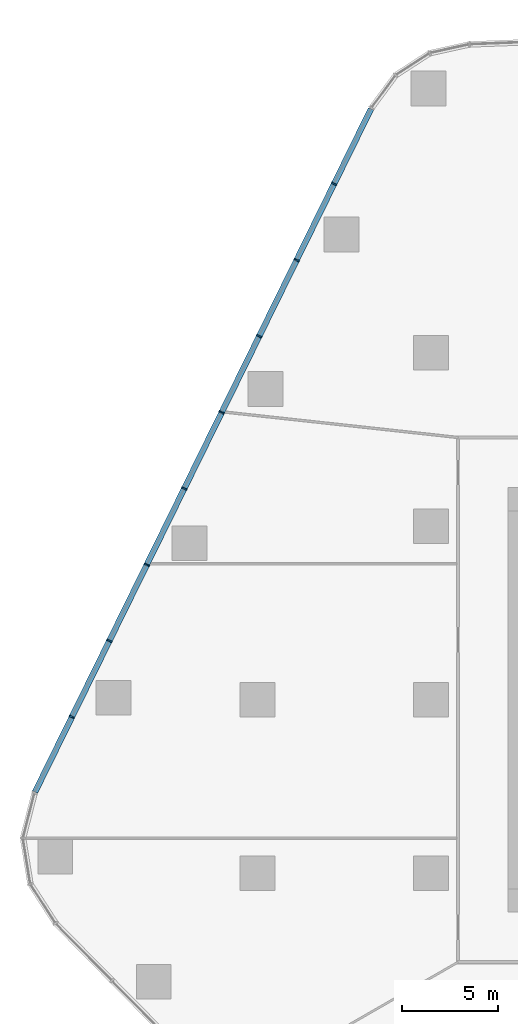
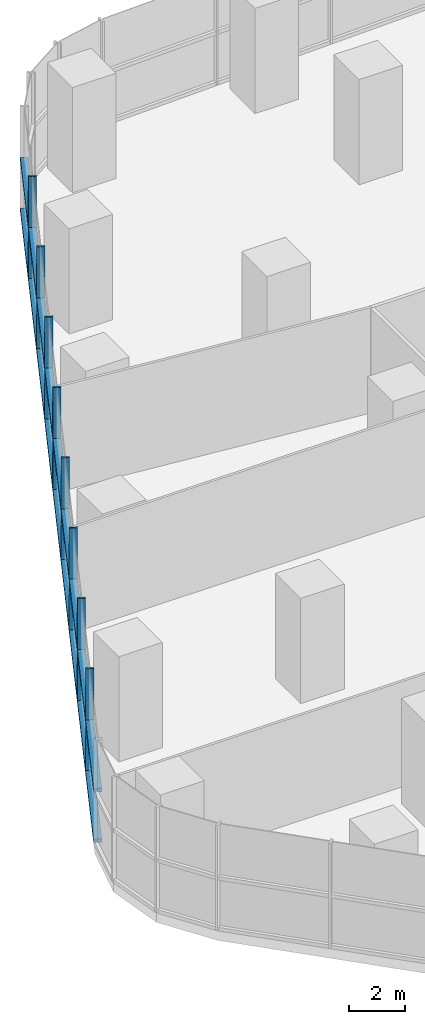
# One storey, part 4 of 15: 26 members, 1 element without a shape of its own.
"""IFC4 building model written with IfcOpenShell, lengths in metres."""

from ifc_helpers import new_model, si_unit, direction, frame, origin, origin_2d, place, context, subcontext, project, spatial, rectangle, extrude, material, layer, layer_set, material_profile, profile_set, type_object, element, aggregate, save


model = new_model("IFC4")

# Units and contexts
model_context = context("Model", 3, precision=1e-05, world=origin(), true_north=direction((0.0, 1.0)))
body_context = subcontext(model_context, "Body", "Model", "MODEL_VIEW")
ifc_project = project(units=[si_unit("LENGTHUNIT", "METRE"), si_unit("AREAUNIT", "SQUARE_METRE"), si_unit("VOLUMEUNIT", "CUBIC_METRE"), si_unit("PLANEANGLEUNIT", "RADIAN"), si_unit("MASSUNIT", "GRAM", prefix="KILO")], contexts=[model_context])

# Site, building, storey
site_placement = place(None, origin())
site = spatial("IfcSite", under=ifc_project, at=site_placement, CompositionType="ELEMENT")
building_placement = place(site_placement, origin())
building = spatial("IfcBuilding", under=site, at=building_placement, Name="Dongbaek Canopy Tower", CompositionType="ELEMENT")
storey_placement = place(building_placement, frame((0.0, 0.0, 33.0)))
storey = spatial("IfcBuildingStorey", under=building, at=storey_placement, Name="L04", CompositionType="ELEMENT", Elevation=33.0)

# Curtain wall, members
ifc_material_1 = material(Name="Aluminium 6063-T6 pale anodised", Category="aluminium")
ifc_layer = layer(ifc_material_1, 0.300048828125)
ifc_layer_set = layer_set([ifc_layer], Name="CW-2 podium hall curtain wall")
curtain_wall_type = type_object("IfcCurtainWallType", Name="CW-2 podium hall curtain wall", PredefinedType="NOTDEFINED", material=ifc_layer_set)
curtain_wall_placement = place(storey_placement, origin())
curtain_wall = element("IfcCurtainWall", 1, at=curtain_wall_placement, inside=storey, type_object=curtain_wall_type, Name="CW-2 curtain wall F2.1", PredefinedType="NOTDEFINED")
ifc_material_2 = material(Name="Aluminium 6063-T6 pale anodised", Category="aluminium")
ifc_material_profile_1 = material_profile(ifc_material_2, rectangle(XDim=0.300048828125, YDim=0.080078125, at=origin_2d()), Name="CW-2 mullion 80 x 300")
ifc_profile_set_1 = profile_set([ifc_material_profile_1], Name="Aluminium 6063-T6 pale anodised")
member_type_1 = type_object("IfcMemberType", Name="CW-2 mullion 80 x 300", PredefinedType="MULLION", material=ifc_profile_set_1)
member_1_placement = place(storey_placement, frame((-23.031005859375, 26.74560546875, 0.0), z_axis=(0.0, 0.0, 1.0), x_axis=(-0.897339166815, 0.441341613378, 0.0)))
member_1 = element("IfcMember", 2, at=member_1_placement, type_object=member_type_1, Name="CW-2 mullion F2.1.2", PredefinedType="MULLION", context=body_context, shape_type="SweptSolid", body=[
    extrude(rectangle(XDim=0.300048828125, YDim=0.080078125, at=origin_2d()), origin(), (0.0, 0.0, 1.0), 4.60009765625),
])
member_2_placement = place(storey_placement, frame((-24.97265625, 22.797607421875, 0.0), z_axis=(0.0, 0.0, 1.0), x_axis=(-0.897339166815, 0.441341613378, 0.0)))
member_2 = element("IfcMember", 3, at=member_2_placement, type_object=member_type_1, Name="CW-2 mullion F2.1.3", PredefinedType="MULLION", context=body_context, shape_type="SweptSolid", body=[
    extrude(rectangle(XDim=0.300048828125, YDim=0.080078125, at=origin_2d()), origin(), (0.0, 0.0, 1.0), 4.60009765625),
])
member_3_placement = place(storey_placement, frame((-26.914306640625, 18.849853515625, 0.0), z_axis=(0.0, 0.0, 1.0), x_axis=(-0.897339166815, 0.441341613378, 0.0)))
member_3 = element("IfcMember", 4, at=member_3_placement, type_object=member_type_1, Name="CW-2 mullion F2.1.4", PredefinedType="MULLION", context=body_context, shape_type="SweptSolid", body=[
    extrude(rectangle(XDim=0.300048828125, YDim=0.080078125, at=origin_2d()), origin(), (0.0, 0.0, 1.0), 4.60009765625),
])
member_4_placement = place(storey_placement, frame((-28.856201171875, 14.902099609375, 0.0), z_axis=(0.0, 0.0, 1.0), x_axis=(-0.897339166815, 0.441341613378, 0.0)))
member_4 = element("IfcMember", 5, at=member_4_placement, type_object=member_type_1, Name="CW-2 mullion F2.1.5", PredefinedType="MULLION", context=body_context, shape_type="SweptSolid", body=[
    extrude(rectangle(XDim=0.300048828125, YDim=0.080078125, at=origin_2d()), origin(), (0.0, 0.0, 1.0), 4.60009765625),
])
member_5_placement = place(storey_placement, frame((-30.7978515625, 10.954345703125, 0.0), z_axis=(0.0, 0.0, 1.0), x_axis=(-0.897339166815, 0.441341613378, 0.0)))
member_5 = element("IfcMember", 6, at=member_5_placement, type_object=member_type_1, Name="CW-2 mullion F2.1.6", PredefinedType="MULLION", context=body_context, shape_type="SweptSolid", body=[
    extrude(rectangle(XDim=0.300048828125, YDim=0.080078125, at=origin_2d()), origin(), (0.0, 0.0, 1.0), 4.60009765625),
])
member_6_placement = place(storey_placement, frame((-32.739501953125, 7.00634765625, 0.0), z_axis=(0.0, 0.0, 1.0), x_axis=(-0.897339166815, 0.441341613378, 0.0)))
member_6 = element("IfcMember", 7, at=member_6_placement, type_object=member_type_1, Name="CW-2 mullion F2.1.7", PredefinedType="MULLION", context=body_context, shape_type="SweptSolid", body=[
    extrude(rectangle(XDim=0.300048828125, YDim=0.080078125, at=origin_2d()), origin(), (0.0, 0.0, 1.0), 4.60009765625),
])
member_7_placement = place(storey_placement, frame((-34.68115234375, 3.05859375, 0.0), z_axis=(0.0, 0.0, 1.0), x_axis=(-0.897339166815, 0.441341613378, 0.0)))
member_7 = element("IfcMember", 8, at=member_7_placement, type_object=member_type_1, Name="CW-2 mullion F2.1.8", PredefinedType="MULLION", context=body_context, shape_type="SweptSolid", body=[
    extrude(rectangle(XDim=0.300048828125, YDim=0.080078125, at=origin_2d()), origin(), (0.0, 0.0, 1.0), 4.60009765625),
])
member_8_placement = place(storey_placement, frame((-36.622802734375, -0.88916015625, 0.0), z_axis=(0.0, 0.0, 1.0), x_axis=(-0.897339166815, 0.441341613378, 0.0)))
member_8 = element("IfcMember", 9, at=member_8_placement, type_object=member_type_1, Name="CW-2 mullion F2.1.9", PredefinedType="MULLION", context=body_context, shape_type="SweptSolid", body=[
    extrude(rectangle(XDim=0.300048828125, YDim=0.080078125, at=origin_2d()), origin(), (0.0, 0.0, 1.0), 4.60009765625),
])
ifc_material_3 = material(Name="Aluminium 6063-T6 pale anodised", Category="aluminium")
ifc_material_profile_2 = material_profile(ifc_material_3, rectangle(XDim=0.300048828125, YDim=0.159912109375, at=origin_2d()), Name="CW-2 transom 160 x 300")
ifc_profile_set_2 = profile_set([ifc_material_profile_2], Name="Aluminium 6063-T6 pale anodised")
member_type_2 = type_object("IfcMemberType", Name="CW-2 transom 160 x 300", PredefinedType="USERDEFINED", material=ifc_profile_set_2)
member_9_placement = place(storey_placement, frame((-21.116455078125, 30.638671875, 0.080078125), z_axis=(-0.441303114312, -0.897358100927, 0.0), x_axis=(0.897358100927, -0.441303114312, 0.0)))
member_9 = element("IfcMember", 10, at=member_9_placement, type_object=member_type_2, Name="CW-2 transom F2.1.1.1", ObjectType="TRANSOM", PredefinedType="USERDEFINED", context=body_context, shape_type="SweptSolid", body=[
    extrude(rectangle(XDim=0.300048828125, YDim=0.159912109375, at=origin_2d()), origin(), (0.0, 0.0, 1.0), 4.286376953125),
])
member_10_placement = place(storey_placement, frame((-21.116455078125, 30.638671875, 2.300048828125), z_axis=(-0.441303114312, -0.897358100927, 0.0), x_axis=(0.897358100927, -0.441303114312, 0.0)))
member_10 = element("IfcMember", 11, at=member_10_placement, type_object=member_type_2, Name="CW-2 transom F2.1.1.2", ObjectType="TRANSOM", PredefinedType="USERDEFINED", context=body_context, shape_type="SweptSolid", body=[
    extrude(rectangle(XDim=0.300048828125, YDim=0.159912109375, at=origin_2d()), origin(), (0.0, 0.0, 1.0), 4.286376953125),
])
member_11_placement = place(storey_placement, frame((-23.053955078125, 26.69873046875, 0.080078125), z_axis=(-0.441338412406, -0.897340741154, 0.0), x_axis=(0.897340741154, -0.441338412406, 0.0)))
member_11 = element("IfcMember", 12, at=member_11_placement, type_object=member_type_2, Name="CW-2 transom F2.1.2.1", ObjectType="TRANSOM", PredefinedType="USERDEFINED", context=body_context, shape_type="SweptSolid", body=[
    extrude(rectangle(XDim=0.300048828125, YDim=0.159912109375, at=origin_2d()), origin(), (0.0, 0.0, 1.0), 4.29541015625),
])
member_12_placement = place(storey_placement, frame((-23.053955078125, 26.69873046875, 2.300048828125), z_axis=(-0.441338412406, -0.897340741154, 0.0), x_axis=(0.897340741154, -0.441338412406, 0.0)))
member_12 = element("IfcMember", 13, at=member_12_placement, type_object=member_type_2, Name="CW-2 transom F2.1.2.2", ObjectType="TRANSOM", PredefinedType="USERDEFINED", context=body_context, shape_type="SweptSolid", body=[
    extrude(rectangle(XDim=0.300048828125, YDim=0.159912109375, at=origin_2d()), origin(), (0.0, 0.0, 1.0), 4.29541015625),
])
member_13_placement = place(storey_placement, frame((-24.99560546875, 22.7509765625, 0.080078125), z_axis=(-0.441338412406, -0.897340741154, 0.0), x_axis=(0.897340741154, -0.441338412406, 0.0)))
member_13 = element("IfcMember", 14, at=member_13_placement, type_object=member_type_2, Name="CW-2 transom F2.1.3.1", ObjectType="TRANSOM", PredefinedType="USERDEFINED", context=body_context, shape_type="SweptSolid", body=[
    extrude(rectangle(XDim=0.300048828125, YDim=0.159912109375, at=origin_2d()), origin(), (0.0, 0.0, 1.0), 4.29541015625),
])
member_14_placement = place(storey_placement, frame((-24.99560546875, 22.7509765625, 2.300048828125), z_axis=(-0.441338412406, -0.897340741154, 0.0), x_axis=(0.897340741154, -0.441338412406, 0.0)))
member_14 = element("IfcMember", 15, at=member_14_placement, type_object=member_type_2, Name="CW-2 transom F2.1.3.2", ObjectType="TRANSOM", PredefinedType="USERDEFINED", context=body_context, shape_type="SweptSolid", body=[
    extrude(rectangle(XDim=0.300048828125, YDim=0.159912109375, at=origin_2d()), origin(), (0.0, 0.0, 1.0), 4.29541015625),
])
member_15_placement = place(storey_placement, frame((-26.937255859375, 18.80322265625, 0.080078125), z_axis=(-0.441384176903, -0.897318231387, 0.0), x_axis=(0.897318231387, -0.441384176903, 0.0)))
member_15 = element("IfcMember", 16, at=member_15_placement, type_object=member_type_2, Name="CW-2 transom F2.1.4.1", ObjectType="TRANSOM", PredefinedType="USERDEFINED", context=body_context, shape_type="SweptSolid", body=[
    extrude(rectangle(XDim=0.300048828125, YDim=0.159912109375, at=origin_2d()), origin(), (0.0, 0.0, 1.0), 4.295654296875),
])
member_16_placement = place(storey_placement, frame((-26.937255859375, 18.80322265625, 2.300048828125), z_axis=(-0.441384176903, -0.897318231387, 0.0), x_axis=(0.897318231387, -0.441384176903, 0.0)))
member_16 = element("IfcMember", 17, at=member_16_placement, type_object=member_type_2, Name="CW-2 transom F2.1.4.2", ObjectType="TRANSOM", PredefinedType="USERDEFINED", context=body_context, shape_type="SweptSolid", body=[
    extrude(rectangle(XDim=0.300048828125, YDim=0.159912109375, at=origin_2d()), origin(), (0.0, 0.0, 1.0), 4.295654296875),
])
member_17_placement = place(storey_placement, frame((-28.879150390625, 14.85546875, 0.080078125), z_axis=(-0.441338412406, -0.897340741154, 0.0), x_axis=(0.897340741154, -0.441338412406, 0.0)))
member_17 = element("IfcMember", 18, at=member_17_placement, type_object=member_type_2, Name="CW-2 transom F2.1.5.1", ObjectType="TRANSOM", PredefinedType="USERDEFINED", context=body_context, shape_type="SweptSolid", body=[
    extrude(rectangle(XDim=0.300048828125, YDim=0.159912109375, at=origin_2d()), origin(), (0.0, 0.0, 1.0), 4.29541015625),
])
member_18_placement = place(storey_placement, frame((-28.879150390625, 14.85546875, 2.300048828125), z_axis=(-0.441338412406, -0.897340741154, 0.0), x_axis=(0.897340741154, -0.441338412406, 0.0)))
member_18 = element("IfcMember", 19, at=member_18_placement, type_object=member_type_2, Name="CW-2 transom F2.1.5.2", ObjectType="TRANSOM", PredefinedType="USERDEFINED", context=body_context, shape_type="SweptSolid", body=[
    extrude(rectangle(XDim=0.300048828125, YDim=0.159912109375, at=origin_2d()), origin(), (0.0, 0.0, 1.0), 4.29541015625),
])
member_19_placement = place(storey_placement, frame((-30.82080078125, 10.90771484375, 0.080078125), z_axis=(-0.441338412406, -0.897340741154, 0.0), x_axis=(0.897340741154, -0.441338412406, 0.0)))
member_19 = element("IfcMember", 20, at=member_19_placement, type_object=member_type_2, Name="CW-2 transom F2.1.6.1", ObjectType="TRANSOM", PredefinedType="USERDEFINED", context=body_context, shape_type="SweptSolid", body=[
    extrude(rectangle(XDim=0.300048828125, YDim=0.159912109375, at=origin_2d()), origin(), (0.0, 0.0, 1.0), 4.29541015625),
])
member_20_placement = place(storey_placement, frame((-30.82080078125, 10.90771484375, 2.300048828125), z_axis=(-0.441338412406, -0.897340741154, 0.0), x_axis=(0.897340741154, -0.441338412406, 0.0)))
member_20 = element("IfcMember", 21, at=member_20_placement, type_object=member_type_2, Name="CW-2 transom F2.1.6.2", ObjectType="TRANSOM", PredefinedType="USERDEFINED", context=body_context, shape_type="SweptSolid", body=[
    extrude(rectangle(XDim=0.300048828125, YDim=0.159912109375, at=origin_2d()), origin(), (0.0, 0.0, 1.0), 4.29541015625),
])
member_21_placement = place(storey_placement, frame((-32.762451171875, 6.959716796875, 0.080078125), z_axis=(-0.441338412406, -0.897340741154, 0.0), x_axis=(0.897340741154, -0.441338412406, 0.0)))
member_21 = element("IfcMember", 22, at=member_21_placement, type_object=member_type_2, Name="CW-2 transom F2.1.7.1", ObjectType="TRANSOM", PredefinedType="USERDEFINED", context=body_context, shape_type="SweptSolid", body=[
    extrude(rectangle(XDim=0.300048828125, YDim=0.159912109375, at=origin_2d()), origin(), (0.0, 0.0, 1.0), 4.29541015625),
])
member_22_placement = place(storey_placement, frame((-32.762451171875, 6.959716796875, 2.300048828125), z_axis=(-0.441338412406, -0.897340741154, 0.0), x_axis=(0.897340741154, -0.441338412406, 0.0)))
member_22 = element("IfcMember", 23, at=member_22_placement, type_object=member_type_2, Name="CW-2 transom F2.1.7.2", ObjectType="TRANSOM", PredefinedType="USERDEFINED", context=body_context, shape_type="SweptSolid", body=[
    extrude(rectangle(XDim=0.300048828125, YDim=0.159912109375, at=origin_2d()), origin(), (0.0, 0.0, 1.0), 4.29541015625),
])
member_23_placement = place(storey_placement, frame((-34.7041015625, 3.011962890625, 0.080078125), z_axis=(-0.441338412406, -0.897340741154, 0.0), x_axis=(0.897340741154, -0.441338412406, 0.0)))
member_23 = element("IfcMember", 24, at=member_23_placement, type_object=member_type_2, Name="CW-2 transom F2.1.8.1", ObjectType="TRANSOM", PredefinedType="USERDEFINED", context=body_context, shape_type="SweptSolid", body=[
    extrude(rectangle(XDim=0.300048828125, YDim=0.159912109375, at=origin_2d()), origin(), (0.0, 0.0, 1.0), 4.29541015625),
])
member_24_placement = place(storey_placement, frame((-34.7041015625, 3.011962890625, 2.300048828125), z_axis=(-0.441338412406, -0.897340741154, 0.0), x_axis=(0.897340741154, -0.441338412406, 0.0)))
member_24 = element("IfcMember", 25, at=member_24_placement, type_object=member_type_2, Name="CW-2 transom F2.1.8.2", ObjectType="TRANSOM", PredefinedType="USERDEFINED", context=body_context, shape_type="SweptSolid", body=[
    extrude(rectangle(XDim=0.300048828125, YDim=0.159912109375, at=origin_2d()), origin(), (0.0, 0.0, 1.0), 4.29541015625),
])
member_25_placement = place(storey_placement, frame((-36.645751953125, -0.935791015625, 0.080078125), z_axis=(-0.441324168048, -0.897347746805, 0.0), x_axis=(0.897347746805, -0.441324168048, 0.0)))
member_25 = element("IfcMember", 26, at=member_25_placement, type_object=member_type_2, Name="CW-2 transom F2.1.9.1", ObjectType="TRANSOM", PredefinedType="USERDEFINED", context=body_context, shape_type="SweptSolid", body=[
    extrude(rectangle(XDim=0.300048828125, YDim=0.159912109375, at=origin_2d()), origin(), (0.0, 0.0, 1.0), 4.28515625),
])
member_26_placement = place(storey_placement, frame((-36.645751953125, -0.935791015625, 2.300048828125), z_axis=(-0.441324168048, -0.897347746805, 0.0), x_axis=(0.897347746805, -0.441324168048, 0.0)))
member_26 = element("IfcMember", 27, at=member_26_placement, type_object=member_type_2, Name="CW-2 transom F2.1.9.2", ObjectType="TRANSOM", PredefinedType="USERDEFINED", context=body_context, shape_type="SweptSolid", body=[
    extrude(rectangle(XDim=0.300048828125, YDim=0.159912109375, at=origin_2d()), origin(), (0.0, 0.0, 1.0), 4.28515625),
])
aggregate(curtain_wall, [member_1, member_2, member_3, member_4, member_5, member_6, member_7, member_8, member_9, member_10, member_11, member_12, member_13, member_14, member_15, member_16, member_17, member_18, member_19, member_20, member_21, member_22, member_23, member_24, member_25, member_26])

save(model, "model.ifc")
